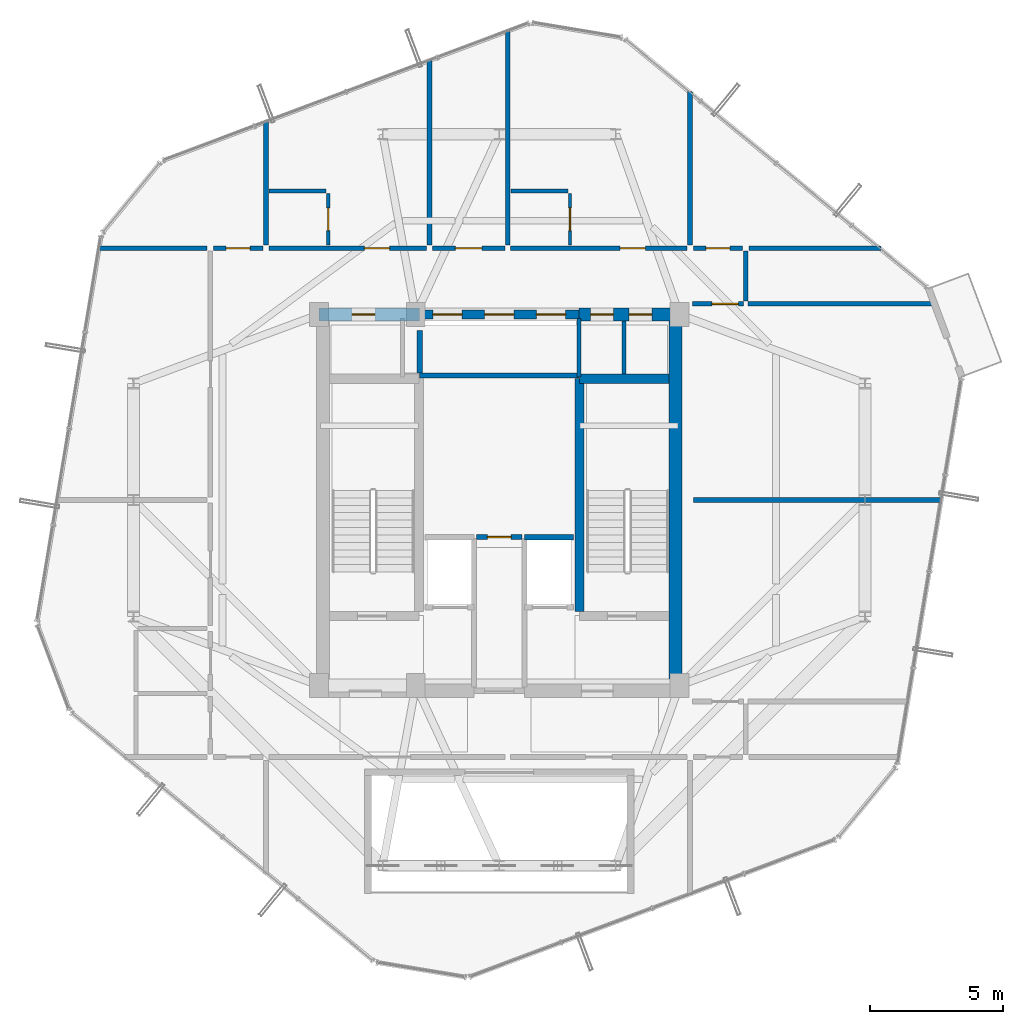
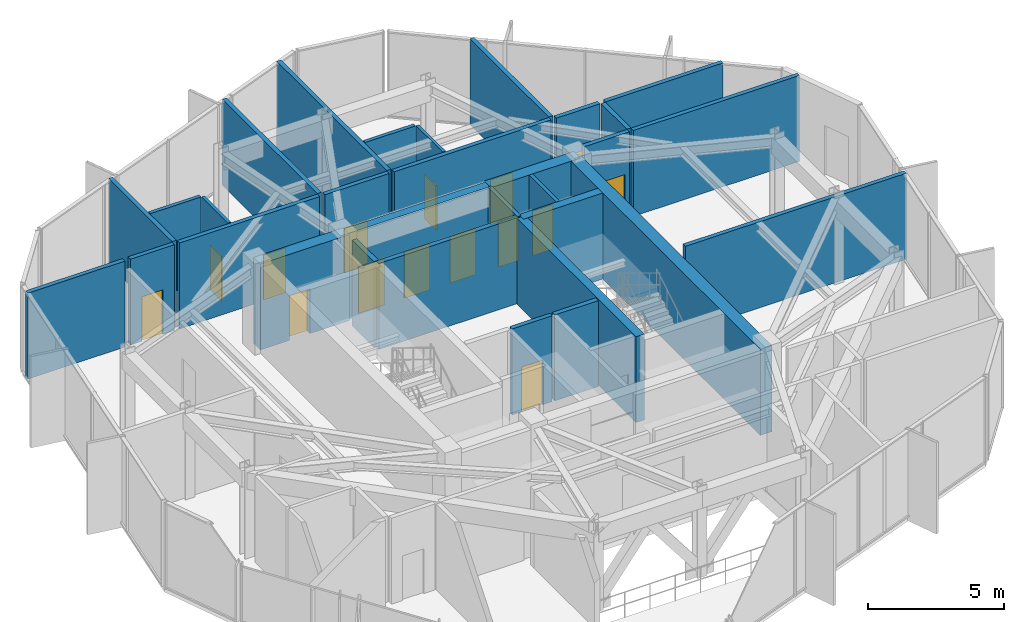
# One storey, part 19 of 22: 31 walls, 15 doors, 15 openings.
"""IFC4 building model written with IfcOpenShell, lengths in metres."""

from ifc_helpers import new_model, si_unit, direction, frame, frame_2d, origin, place, context, subcontext, project, spatial, rectangle, extrude, source, transform, mapped, material, layer, layer_set, type_object, element, fill, save


model = new_model("IFC4")

# Units and contexts
model_context = context("Model", 3, precision=1e-05, world=origin(), true_north=direction((0.0, 1.0)))
body_context = subcontext(model_context, "Body", "Model", "MODEL_VIEW")
ifc_project = project(units=[si_unit("LENGTHUNIT", "METRE"), si_unit("AREAUNIT", "SQUARE_METRE"), si_unit("VOLUMEUNIT", "CUBIC_METRE"), si_unit("PLANEANGLEUNIT", "RADIAN"), si_unit("MASSUNIT", "GRAM", prefix="KILO")], contexts=[model_context])

# Site, building, storey
site_placement = place(None, origin())
site = spatial("IfcSite", under=ifc_project, at=site_placement, CompositionType="ELEMENT")
building_placement = place(site_placement, origin())
building = spatial("IfcBuilding", under=site, at=building_placement, Name="Veraguas Prism Commons", CompositionType="ELEMENT")
storey_placement = place(building_placement, frame((0.0, 0.0, 240.64990234375)))
storey = spatial("IfcBuildingStorey", under=building, at=storey_placement, Name="L68", CompositionType="ELEMENT", Elevation=240.64990234375)

# Wall, openings, doors
ifc_material_1 = material(Name="Concrete C50/60", Category="concrete")
ifc_layer_1 = layer(ifc_material_1, 0.35009765625, Name="Core Internal Shear Wall Upper RC 350", Category="concrete")
ifc_layer_set_1 = layer_set([ifc_layer_1], Name="Concrete C50/60")
wall_type_1 = type_object("IfcWallType", Name="Core Internal Shear Wall Upper RC 350", PredefinedType="SHEAR", material=ifc_layer_set_1)
wall_1_placement = place(storey_placement, frame((21.0, 31.0, 0.0), z_axis=(0.0, 0.0, 1.0), x_axis=(1.0, 0.0, 0.0)))
wall_1 = element("IfcWall", 1, at=wall_1_placement, inside=storey, type_object=wall_type_1, Name="High-Rise Lift Bank Front Shear Wall L68", PredefinedType="SHEAR", context=body_context, shape_type="SweptSolid", body=[
    extrude(rectangle(XDim=6.0, YDim=0.35009765625, at=frame_2d((3.0, 0.0))), origin(), (0.0, 0.0, 1.0), 3.864990234375),
])
opening_1_placement = place(wall_1_placement, frame((0.5, 0.0, 0.0)))
opening_1 = element("IfcOpeningElement", 2, at=opening_1_placement, cuts=wall_1, Name="Opening LD-01", PredefinedType="OPENING", context=body_context, shape_type="SweptSolid", body=[
    extrude(rectangle(XDim=1.10009765625, YDim=2.080078125, at=frame_2d((0.550048828125, 1.0400390625))), frame((0.0, 0.18505859375, 0.0), z_axis=(0.0, -1.0, 0.0), x_axis=(1.0, 0.0, 0.0)), (0.0, 0.0, 1.0), 0.3701171875),
])
opening_2_placement = place(wall_1_placement, frame((2.449951171875, 0.0, 0.0)))
opening_2 = element("IfcOpeningElement", 3, at=opening_2_placement, cuts=wall_1, Name="Opening LD-01", PredefinedType="OPENING", context=body_context, shape_type="SweptSolid", body=[
    extrude(rectangle(XDim=1.10009765625, YDim=2.080078125, at=frame_2d((0.550048828125, 1.0400390625))), frame((0.0, 0.18505859375, 0.0), z_axis=(0.0, -1.0, 0.0), x_axis=(1.0, 0.0, 0.0)), (0.0, 0.0, 1.0), 0.3701171875),
])
opening_3_placement = place(wall_1_placement, frame((4.39990234375, 0.0, 0.0)))
opening_3 = element("IfcOpeningElement", 4, at=opening_3_placement, cuts=wall_1, Name="Opening LD-01", PredefinedType="OPENING", context=body_context, shape_type="SweptSolid", body=[
    extrude(rectangle(XDim=1.10009765625, YDim=2.080078125, at=frame_2d((0.550048828125, 1.0400390625))), frame((0.0, 0.18505859375, 0.0), z_axis=(0.0, -1.0, 0.0), x_axis=(1.0, 0.0, 0.0)), (0.0, 0.0, 1.0), 0.3701171875),
])
ifc_material_2 = material(Name="Stainless steel AISI 316", Category="steel")
door_type_1 = type_object("IfcDoorType", Name="Passenger Lift Sliding Landing Door 1100x2080", OperationType="NOTDEFINED", PredefinedType="DOOR", material=ifc_material_2)
shared_shape_1 = source(origin(), body_context, "Body", "SweptSolid", [
    extrude(rectangle(XDim=1.10009765625, YDim=2.080078125, at=frame_2d((0.550048828125, 1.0400390625))), frame((0.0, 0.02490234375, 0.0), z_axis=(0.0, -1.0, 0.0), x_axis=(1.0, 0.0, 0.0)), (0.0, 0.0, 1.0), 0.050048828125),
])
door_1_placement = place(opening_1_placement, origin())
door_1 = element("IfcDoor", 5, at=door_1_placement, inside=storey, type_object=door_type_1, Name="Sliding Landing Door PL-H1 L68", OperationType="SLIDING_TO_LEFT", OverallHeight=2.080078125, OverallWidth=1.10009765625, PredefinedType="DOOR", context=body_context, shape_type="MappedRepresentation", body=[
    mapped(shared_shape_1, transform((0.0, 0.0, 0.0), scale=1.0)),
])
fill(opening_1, door_1)
door_2_placement = place(opening_2_placement, origin())
door_2 = element("IfcDoor", 6, at=door_2_placement, inside=storey, type_object=door_type_1, Name="Sliding Landing Door PL-H2 L68", OperationType="SLIDING_TO_LEFT", OverallHeight=2.080078125, OverallWidth=1.10009765625, PredefinedType="DOOR", context=body_context, shape_type="MappedRepresentation", body=[
    mapped(shared_shape_1, transform((0.0, 0.0, 0.0), scale=1.0)),
])
fill(opening_2, door_2)
door_3_placement = place(opening_3_placement, origin())
door_3 = element("IfcDoor", 7, at=door_3_placement, inside=storey, type_object=door_type_1, Name="Sliding Landing Door PL-H3 L68", OperationType="SLIDING_TO_LEFT", OverallHeight=2.080078125, OverallWidth=1.10009765625, PredefinedType="DOOR", context=body_context, shape_type="MappedRepresentation", body=[
    mapped(shared_shape_1, transform((0.0, 0.0, 0.0), scale=1.0)),
])
fill(opening_3, door_3)

# Walls
wall_2_placement = place(storey_placement, frame((27.02490234375, 19.800048828125, 0.0), z_axis=(0.0, 0.0, 1.0), x_axis=(0.0, 1.0, 0.0)))
element("IfcWall", 8, at=wall_2_placement, inside=storey, type_object=wall_type_1, Name="Stair ST-02 Inner Shear Wall L68", PredefinedType="SHEAR", context=body_context, shape_type="SweptSolid", body=[
    extrude(rectangle(XDim=8.77490234375, YDim=0.35009765625, at=frame_2d((4.387451171875, 0.0))), origin(), (0.0, 0.0, 1.0), 3.864990234375),
])
wall_3_placement = place(storey_placement, frame((27.02490234375, 28.574951171875, 0.0), z_axis=(0.0, 0.0, 1.0), x_axis=(1.0, 0.0, 0.0)))
element("IfcWall", 9, at=wall_3_placement, inside=storey, type_object=wall_type_1, Name="Stair ST-02 North Shear Wall L68", PredefinedType="SHEAR", context=body_context, shape_type="SweptSolid", body=[
    extrude(rectangle(XDim=3.375, YDim=0.35009765625, at=frame_2d((1.6875, 0.0))), origin(), (0.0, 0.0, 1.0), 3.864990234375),
])
ifc_layer_2 = layer(ifc_material_1, 0.5, Name="Core Outer Shear Wall Upper RC 500", Category="concrete")
ifc_layer_set_2 = layer_set([ifc_layer_2], Name="Concrete C50/60")
wall_type_2 = type_object("IfcWallType", Name="Core Outer Shear Wall Upper RC 500", PredefinedType="SHEAR", material=ifc_layer_set_2)
wall_4_placement = place(storey_placement, frame((30.64990234375, 16.800048828125, 0.0), z_axis=(0.0, 0.0, 1.0), x_axis=(0.0, 1.0, 0.0)))
element("IfcWall", 10, at=wall_4_placement, inside=storey, type_object=wall_type_2, Name="Central Core East Shear Wall L68", PredefinedType="SHEAR", context=body_context, shape_type="SweptSolid", body=[
    extrude(rectangle(XDim=14.199951171875, YDim=0.5, at=frame_2d((7.10009765625, 0.0))), origin(), (0.0, 0.0, 1.0), 3.864990234375),
])

# Wall, opening, door
wall_5_placement = place(storey_placement, frame((17.199951171875, 31.0, 0.0), z_axis=(0.0, 0.0, 1.0), x_axis=(1.0, 0.0, 0.0)))
wall_5 = element("IfcWall", 11, at=wall_5_placement, inside=storey, type_object=wall_type_2, Name="Central Core North-West Shear Wall L68", PredefinedType="SHEAR", context=body_context, shape_type="SweptSolid", body=[
    extrude(rectangle(XDim=3.800048828125, YDim=0.5, at=frame_2d((1.89990234375, 0.0))), origin(), (0.0, 0.0, 1.0), 3.864990234375),
])
opening_4_placement = place(wall_5_placement, frame((1.25, 0.0, 0.0)))
opening_4 = element("IfcOpeningElement", 12, at=opening_4_placement, cuts=wall_5, Name="Opening DR-12", PredefinedType="OPENING", context=body_context, shape_type="SweptSolid", body=[
    extrude(rectangle(XDim=0.860107421875, YDim=2.010009765625, at=frame_2d((0.43017578125, 1.0048828125))), frame((0.0, 0.260009765625, 0.0), z_axis=(0.0, -1.0, 0.0), x_axis=(1.0, 0.0, 0.0)), (0.0, 0.0, 1.0), 0.52001953125),
])
ifc_material_3 = material(Name="Steel fire-rated door assembly", Category="steel")
door_type_2 = type_object("IfcDoorType", Name="Core WC Fire Door 860x2010", OperationType="NOTDEFINED", PredefinedType="DOOR", material=ifc_material_3)
shared_shape_2 = source(origin(), body_context, "Body", "SweptSolid", [
    extrude(rectangle(XDim=0.860107421875, YDim=2.010009765625, at=frame_2d((0.43017578125, 1.0048828125))), frame((0.0, 0.02490234375, 0.0), z_axis=(0.0, -1.0, 0.0), x_axis=(1.0, 0.0, 0.0)), (0.0, 0.0, 1.0), 0.050048828125),
])
door_4_placement = place(opening_4_placement, origin())
door_4 = element("IfcDoor", 13, at=door_4_placement, inside=storey, type_object=door_type_2, Name="Core NW Service Door L68", OperationType="SINGLE_SWING_LEFT", OverallHeight=2.010009765625, OverallWidth=0.860107421875, PredefinedType="DOOR", context=body_context, shape_type="MappedRepresentation", body=[
    mapped(shared_shape_2, transform((0.0, 0.0, 0.0), scale=1.0)),
])
fill(opening_4, door_4)

# Wall, openings, doors
wall_6_placement = place(storey_placement, frame((27.0, 31.0, 0.0), z_axis=(0.0, 0.0, 1.0), x_axis=(1.0, 0.0, 0.0)))
wall_6 = element("IfcWall", 14, at=wall_6_placement, inside=storey, type_object=wall_type_2, Name="Central Core North-East Shear Wall L68", PredefinedType="SHEAR", context=body_context, shape_type="SweptSolid", body=[
    extrude(rectangle(XDim=3.800048828125, YDim=0.5, at=frame_2d((1.89990234375, 0.0))), origin(), (0.0, 0.0, 1.0), 3.864990234375),
])
opening_5_placement = place(wall_6_placement, frame((0.449951171875, 0.0, 0.0)))
opening_5 = element("IfcOpeningElement", 15, at=opening_5_placement, cuts=wall_6, Name="Opening DR-12", PredefinedType="OPENING", context=body_context, shape_type="SweptSolid", body=[
    extrude(rectangle(XDim=0.860107421875, YDim=2.010009765625, at=frame_2d((0.43017578125, 1.0048828125))), frame((0.0, 0.260009765625, 0.0), z_axis=(0.0, -1.0, 0.0), x_axis=(1.0, 0.0, 0.0)), (0.0, 0.0, 1.0), 0.52001953125),
])
opening_6_placement = place(wall_6_placement, frame((1.89990234375, 0.0, 0.0)))
opening_6 = element("IfcOpeningElement", 16, at=opening_6_placement, cuts=wall_6, Name="Opening DR-12", PredefinedType="OPENING", context=body_context, shape_type="SweptSolid", body=[
    extrude(rectangle(XDim=0.860107421875, YDim=2.010009765625, at=frame_2d((0.43017578125, 1.0048828125))), frame((0.0, 0.260009765625, 0.0), z_axis=(0.0, -1.0, 0.0), x_axis=(1.0, 0.0, 0.0)), (0.0, 0.0, 1.0), 0.52001953125),
])
door_5_placement = place(opening_5_placement, origin())
door_5 = element("IfcDoor", 17, at=door_5_placement, inside=storey, type_object=door_type_2, Name="Core NE Room A Door L68", OperationType="SINGLE_SWING_RIGHT", OverallHeight=2.010009765625, OverallWidth=0.860107421875, PredefinedType="DOOR", context=body_context, shape_type="MappedRepresentation", body=[
    mapped(shared_shape_2, transform((0.0, 0.0, 0.0), scale=1.0)),
])
fill(opening_5, door_5)
door_6_placement = place(opening_6_placement, origin())
door_6 = element("IfcDoor", 18, at=door_6_placement, inside=storey, type_object=door_type_2, Name="Core NE Room B Door L68", OperationType="SINGLE_SWING_LEFT", OverallHeight=2.010009765625, OverallWidth=0.860107421875, PredefinedType="DOOR", context=body_context, shape_type="MappedRepresentation", body=[
    mapped(shared_shape_2, transform((0.0, 0.0, 0.0), scale=1.0)),
])
fill(opening_6, door_6)

# Wall, opening, door
ifc_material_4 = material(Name="Autoclaved aerated masonry block 10 MPa", Category="masonry")
ifc_layer_3 = layer(ifc_material_4, 0.179931640625, Name="Corridor and Inter-Tenancy Partition 180", Category="masonry")
ifc_layer_set_3 = layer_set([ifc_layer_3], Name="Autoclaved aerated masonry block 10 MPa")
wall_type_3 = type_object("IfcWallType", Name="Corridor and Inter-Tenancy Partition 180", PredefinedType="PARTITIONING", material=ifc_layer_set_3)
wall_7_placement = place(storey_placement, frame((23.14990234375, 22.60009765625, 0.0), z_axis=(0.0, 0.0, 1.0), x_axis=(1.0, 0.0, 0.0)))
wall_7 = element("IfcWall", 19, at=wall_7_placement, inside=storey, type_object=wall_type_3, Name="Core Suite Entry Wall L68", PredefinedType="PARTITIONING", context=body_context, shape_type="SweptSolid", body=[
    extrude(rectangle(XDim=1.7001953125, YDim=0.179931640625, at=frame_2d((0.85009765625, 0.0))), origin(), (0.0, 0.0, 1.0), 3.864990234375),
])
opening_7_placement = place(wall_7_placement, frame((0.39990234375, 0.0, 0.0)))
opening_7 = element("IfcOpeningElement", 20, at=opening_7_placement, cuts=wall_7, Name="Opening DR-14", PredefinedType="OPENING", context=body_context, shape_type="SweptSolid", body=[
    extrude(rectangle(XDim=0.89990234375, YDim=2.010009765625, at=frame_2d((0.449951171875, 1.0048828125))), frame((0.0, 0.099853515625, 0.0), z_axis=(0.0, -1.0, 0.0), x_axis=(1.0, 0.0, 0.0)), (0.0, 0.0, 1.0), 0.199951171875),
])
door_type_3 = type_object("IfcDoorType", Name="Core Service Room Fire Door 900x2010", OperationType="NOTDEFINED", PredefinedType="DOOR", material=ifc_material_3)
shared_shape_3 = source(origin(), body_context, "Body", "SweptSolid", [
    extrude(rectangle(XDim=0.89990234375, YDim=2.010009765625, at=frame_2d((0.449951171875, 1.0048828125))), frame((0.0, 0.02490234375, 0.0), z_axis=(0.0, -1.0, 0.0), x_axis=(1.0, 0.0, 0.0)), (0.0, 0.0, 1.0), 0.050048828125),
])
door_7_placement = place(opening_7_placement, origin())
door_7 = element("IfcDoor", 21, at=door_7_placement, inside=storey, type_object=door_type_3, Name="Core Suite Entry Door L68", OperationType="SINGLE_SWING_RIGHT", OverallHeight=2.010009765625, OverallWidth=0.89990234375, PredefinedType="DOOR", context=body_context, shape_type="MappedRepresentation", body=[
    mapped(shared_shape_3, transform((0.0, 0.0, 0.0), scale=1.0)),
])
fill(opening_7, door_7)

# Walls
wall_8_placement = place(storey_placement, frame((15.199951171875, 33.6201171875, 0.0), z_axis=(0.0, 0.0, 1.0), x_axis=(0.0, 1.0, 0.0)))
element("IfcWall", 22, at=wall_8_placement, inside=storey, type_object=wall_type_3, Name="WL-L68-PT005", PredefinedType="PARTITIONING", context=body_context, shape_type="SweptSolid", body=[
    extrude(rectangle(XDim=4.683837890625, YDim=0.179931640625, at=frame_2d((2.341796875, 0.0))), origin(), (0.0, 0.0, 1.0), 3.864990234375),
])
wall_9_placement = place(storey_placement, frame((31.199951171875, 33.6201171875, 0.0), z_axis=(0.0, 0.0, 1.0), x_axis=(0.0, 1.0, 0.0)))
element("IfcWall", 23, at=wall_9_placement, inside=storey, type_object=wall_type_3, Name="WL-L68-PT006", PredefinedType="PARTITIONING", context=body_context, shape_type="SweptSolid", body=[
    extrude(rectangle(XDim=5.80029296875, YDim=0.179931640625, at=frame_2d((2.900146484375, 0.0))), origin(), (0.0, 0.0, 1.0), 3.864990234375),
])

# Wall, opening, door
wall_10_placement = place(storey_placement, frame((21.47998046875, 33.5, 0.0), z_axis=(0.0, 0.0, 1.0), x_axis=(1.0, 0.0, 0.0)))
wall_10 = element("IfcWall", 24, at=wall_10_placement, inside=storey, type_object=wall_type_3, Name="WL-L68-PT007", PredefinedType="PARTITIONING", context=body_context, shape_type="SweptSolid", body=[
    extrude(rectangle(XDim=2.72998046875, YDim=0.179931640625, at=frame_2d((1.364990234375, 0.0))), origin(), (0.0, 0.0, 1.0), 3.864990234375),
])
opening_8_placement = place(wall_10_placement, frame((0.864990234375, 0.0, 0.0)))
opening_8 = element("IfcOpeningElement", 25, at=opening_8_placement, cuts=wall_10, Name="Opening DR-13", PredefinedType="OPENING", context=body_context, shape_type="SweptSolid", body=[
    extrude(rectangle(XDim=1.0, YDim=2.010009765625, at=frame_2d((0.5, 1.0048828125))), frame((0.0, 0.099853515625, 0.0), z_axis=(0.0, -1.0, 0.0), x_axis=(1.0, 0.0, 0.0)), (0.0, 0.0, 1.0), 0.199951171875),
])
door_type_4 = type_object("IfcDoorType", Name="Core Accessible WC and Clinic Fire Door 1000x2010", OperationType="NOTDEFINED", PredefinedType="DOOR", material=ifc_material_3)
shared_shape_4 = source(origin(), body_context, "Body", "SweptSolid", [
    extrude(rectangle(XDim=1.0, YDim=2.010009765625, at=frame_2d((0.5, 1.0048828125))), frame((0.0, 0.02490234375, 0.0), z_axis=(0.0, -1.0, 0.0), x_axis=(1.0, 0.0, 0.0)), (0.0, 0.0, 1.0), 0.050048828125),
])
door_8_placement = place(opening_8_placement, origin())
door_8 = element("IfcDoor", 26, at=door_8_placement, inside=storey, type_object=door_type_4, Name="Quiet Study N Door", OperationType="SINGLE_SWING_LEFT", OverallHeight=2.010009765625, OverallWidth=1.0, PredefinedType="DOOR", context=body_context, shape_type="MappedRepresentation", body=[
    mapped(shared_shape_4, transform((0.0, 0.0, 0.0), scale=1.0)),
])
fill(opening_8, door_8)

# Wall
wall_11_placement = place(storey_placement, frame((21.3701171875, 33.6201171875, 0.0), z_axis=(0.0, 0.0, 1.0), x_axis=(0.0, 1.0, 0.0)))
element("IfcWall", 27, at=wall_11_placement, inside=storey, type_object=wall_type_3, Name="WL-L68-PT008", PredefinedType="PARTITIONING", context=body_context, shape_type="SweptSolid", body=[
    extrude(rectangle(XDim=7.00048828125, YDim=0.179931640625, at=frame_2d((3.500244140625, 0.0))), origin(), (0.0, 0.0, 1.0), 3.864990234375),
])

# Wall, opening, door
wall_12_placement = place(storey_placement, frame((15.31005859375, 33.5, 0.0), z_axis=(0.0, 0.0, 1.0), x_axis=(1.0, 0.0, 0.0)))
wall_12 = element("IfcWall", 28, at=wall_12_placement, inside=storey, type_object=wall_type_3, Name="WL-L68-PT009", PredefinedType="PARTITIONING", context=body_context, shape_type="SweptSolid", body=[
    extrude(rectangle(XDim=5.949951171875, YDim=0.179931640625, at=frame_2d((2.97509765625, 0.0))), origin(), (0.0, 0.0, 1.0), 3.864990234375),
])
opening_9_placement = place(wall_12_placement, frame((3.60400390625, 0.0, 0.0)))
opening_9 = element("IfcOpeningElement", 29, at=opening_9_placement, cuts=wall_12, Name="Opening DR-01", PredefinedType="OPENING", context=body_context, shape_type="SweptSolid", body=[
    extrude(rectangle(XDim=0.949951171875, YDim=2.02001953125, at=frame_2d((0.47509765625, 1.010009765625))), frame((0.0, 0.099853515625, 0.0), z_axis=(0.0, -1.0, 0.0), x_axis=(1.0, 0.0, 0.0)), (0.0, 0.0, 1.0), 0.199951171875),
])
ifc_material_5 = material(Name="Anodised aluminium EN AW-6063 T6", Category="aluminium")
door_type_5 = type_object("IfcDoorType", Name="Apartment Entrance Fire Door 950x2020", OperationType="NOTDEFINED", PredefinedType="DOOR", material=ifc_material_5)
shared_shape_5 = source(origin(), body_context, "Body", "SweptSolid", [
    extrude(rectangle(XDim=0.949951171875, YDim=2.02001953125, at=frame_2d((0.47509765625, 1.010009765625))), frame((0.0, 0.02490234375, 0.0), z_axis=(0.0, -1.0, 0.0), x_axis=(1.0, 0.0, 0.0)), (0.0, 0.0, 1.0), 0.050048828125),
])
door_9_placement = place(opening_9_placement, origin())
door_9 = element("IfcDoor", 30, at=door_9_placement, inside=storey, type_object=door_type_5, Name="Studio 68A Entrance Door", OperationType="SINGLE_SWING_RIGHT", OverallHeight=2.02001953125, OverallWidth=0.949951171875, PredefinedType="DOOR", context=body_context, shape_type="MappedRepresentation", body=[
    mapped(shared_shape_5, transform((0.0, 0.0, 0.0), scale=1.0)),
])
fill(opening_9, door_9)

# Wall
wall_13_placement = place(storey_placement, frame((24.320068359375, 33.6201171875, 0.0), z_axis=(0.0, 0.0, 1.0), x_axis=(0.0, 1.0, 0.0)))
element("IfcWall", 31, at=wall_13_placement, inside=storey, type_object=wall_type_3, Name="WL-L68-PT012", PredefinedType="PARTITIONING", context=body_context, shape_type="SweptSolid", body=[
    extrude(rectangle(XDim=8.1083984375, YDim=0.179931640625, at=frame_2d((4.05419921875, 0.0))), origin(), (0.0, 0.0, 1.0), 3.864990234375),
])

# Wall, opening, door
wall_14_placement = place(storey_placement, frame((24.429931640625, 33.5, 0.0), z_axis=(0.0, 0.0, 1.0), x_axis=(1.0, 0.0, 0.0)))
wall_14 = element("IfcWall", 32, at=wall_14_placement, inside=storey, type_object=wall_type_3, Name="WL-L68-PT013", PredefinedType="PARTITIONING", context=body_context, shape_type="SweptSolid", body=[
    extrude(rectangle(XDim=6.66015625, YDim=0.179931640625, at=frame_2d((3.330078125, 0.0))), origin(), (0.0, 0.0, 1.0), 3.864990234375),
])
opening_10_placement = place(wall_14_placement, frame((4.12939453125, 0.0, 0.0)))
opening_10 = element("IfcOpeningElement", 33, at=opening_10_placement, cuts=wall_14, Name="Opening DR-01", PredefinedType="OPENING", context=body_context, shape_type="SweptSolid", body=[
    extrude(rectangle(XDim=0.949951171875, YDim=2.02001953125, at=frame_2d((0.47509765625, 1.010009765625))), frame((0.0, 0.099853515625, 0.0), z_axis=(0.0, -1.0, 0.0), x_axis=(1.0, 0.0, 0.0)), (0.0, 0.0, 1.0), 0.199951171875),
])
door_10_placement = place(opening_10_placement, origin())
door_10 = element("IfcDoor", 34, at=door_10_placement, inside=storey, type_object=door_type_5, Name="Studio 68B Entrance Door", OperationType="SINGLE_SWING_RIGHT", OverallHeight=2.02001953125, OverallWidth=0.949951171875, PredefinedType="DOOR", context=body_context, shape_type="MappedRepresentation", body=[
    mapped(shared_shape_5, transform((0.0, 0.0, 0.0), scale=1.0)),
])
fill(opening_10, door_10)

# Walls
wall_15_placement = place(storey_placement, frame((12.97998046875, 33.5, 0.0), z_axis=(0.0, 0.0, 1.0), x_axis=(-1.0, 0.0, 0.0)))
element("IfcWall", 35, at=wall_15_placement, inside=storey, type_object=wall_type_3, Name="WL-L68-PT017", PredefinedType="PARTITIONING", context=body_context, shape_type="SweptSolid", body=[
    extrude(rectangle(XDim=4.11376953125, YDim=0.179931640625, at=frame_2d((2.056884765625, 0.0))), origin(), (0.0, 0.0, 1.0), 3.864990234375),
])
wall_16_placement = place(storey_placement, frame((31.320068359375, 24.0, 0.0), z_axis=(0.0, 0.0, 1.0), x_axis=(1.0, 0.0, 0.0)))
element("IfcWall", 36, at=wall_16_placement, inside=storey, type_object=wall_type_3, Name="WL-L68-PT027", PredefinedType="PARTITIONING", context=body_context, shape_type="SweptSolid", body=[
    extrude(rectangle(XDim=9.3896484375, YDim=0.179931640625, at=frame_2d((4.69482421875, 0.0))), origin(), (0.0, 0.0, 1.0), 3.864990234375),
])
wall_17_placement = place(storey_placement, frame((33.300048828125, 31.5, 0.0), z_axis=(0.0, 0.0, 1.0), x_axis=(0.0, 1.0, 0.0)))
element("IfcWall", 37, at=wall_17_placement, inside=storey, type_object=wall_type_3, Name="WL-L68-PT029", PredefinedType="PARTITIONING", context=body_context, shape_type="SweptSolid", body=[
    extrude(rectangle(XDim=1.89990234375, YDim=0.179931640625, at=frame_2d((0.949951171875, 0.0))), origin(), (0.0, 0.0, 1.0), 3.864990234375),
])

# Wall, opening, door
wall_18_placement = place(storey_placement, frame((31.300048828125, 31.39990234375, 0.0), z_axis=(0.0, 0.0, 1.0), x_axis=(1.0, 0.0, 0.0)))
wall_18 = element("IfcWall", 38, at=wall_18_placement, inside=storey, type_object=wall_type_3, Name="WL-L68-PT032", PredefinedType="PARTITIONING", context=body_context, shape_type="SweptSolid", body=[
    extrude(rectangle(XDim=1.919921875, YDim=0.179931640625, at=frame_2d((0.9599609375, 0.0))), origin(), (0.0, 0.0, 1.0), 3.864990234375),
])
opening_11_placement = place(wall_18_placement, frame((0.719970703125, 0.0, 0.0)))
opening_11 = element("IfcOpeningElement", 39, at=opening_11_placement, cuts=wall_18, Name="Opening DR-13", PredefinedType="OPENING", context=body_context, shape_type="SweptSolid", body=[
    extrude(rectangle(XDim=1.0, YDim=2.010009765625, at=frame_2d((0.5, 1.0048828125))), frame((0.0, 0.099853515625, 0.0), z_axis=(0.0, -1.0, 0.0), x_axis=(1.0, 0.0, 0.0)), (0.0, 0.0, 1.0), 0.199951171875),
])
door_11_placement = place(opening_11_placement, origin())
door_11 = element("IfcDoor", 40, at=door_11_placement, inside=storey, type_object=door_type_4, Name="Study Salon Door L68", OperationType="SINGLE_SWING_LEFT", OverallHeight=2.010009765625, OverallWidth=1.0, PredefinedType="DOOR", context=body_context, shape_type="MappedRepresentation", body=[
    mapped(shared_shape_4, transform((0.0, 0.0, 0.0), scale=1.0)),
])
fill(opening_11, door_11)

# Wall
wall_19_placement = place(storey_placement, frame((33.3798828125, 31.39990234375, 0.0), z_axis=(0.0, 0.0, 1.0), x_axis=(1.0, 0.0, 0.0)))
element("IfcWall", 41, at=wall_19_placement, inside=storey, type_object=wall_type_3, Name="WL-L68-PT033", PredefinedType="PARTITIONING", context=body_context, shape_type="SweptSolid", body=[
    extrude(rectangle(XDim=7.0703125, YDim=0.179931640625, at=frame_2d((3.53515625, 0.0))), origin(), (0.0, 0.0, 1.0), 3.864990234375),
])

# Wall, opening, door
wall_20_placement = place(storey_placement, frame((13.219970703125, 33.5, 0.0), z_axis=(0.0, 0.0, 1.0), x_axis=(1.0, 0.0, 0.0)))
wall_20 = element("IfcWall", 42, at=wall_20_placement, inside=storey, type_object=wall_type_3, Name="WL-L68-PT037", PredefinedType="PARTITIONING", context=body_context, shape_type="SweptSolid", body=[
    extrude(rectangle(XDim=1.860107421875, YDim=0.179931640625, at=frame_2d((0.93017578125, 0.0))), origin(), (0.0, 0.0, 1.0), 3.864990234375),
])
opening_12_placement = place(wall_20_placement, frame((0.47998046875, 0.0, 0.0)))
opening_12 = element("IfcOpeningElement", 43, at=opening_12_placement, cuts=wall_20, Name="Opening DR-14", PredefinedType="OPENING", context=body_context, shape_type="SweptSolid", body=[
    extrude(rectangle(XDim=0.89990234375, YDim=2.010009765625, at=frame_2d((0.449951171875, 1.0048828125))), frame((0.0, 0.099853515625, 0.0), z_axis=(0.0, -1.0, 0.0), x_axis=(1.0, 0.0, 0.0)), (0.0, 0.0, 1.0), 0.199951171875),
])
door_12_placement = place(opening_12_placement, origin())
door_12 = element("IfcDoor", 44, at=door_12_placement, inside=storey, type_object=door_type_3, Name="Residents Corner Study Room NW Door", OperationType="SINGLE_SWING_RIGHT", OverallHeight=2.010009765625, OverallWidth=0.89990234375, PredefinedType="DOOR", context=body_context, shape_type="MappedRepresentation", body=[
    mapped(shared_shape_3, transform((0.0, 0.0, 0.0), scale=1.0)),
])
fill(opening_12, door_12)

# Wall
wall_21_placement = place(storey_placement, frame((33.419921875, 33.5, 0.0), z_axis=(0.0, 0.0, 1.0), x_axis=(1.0, 0.0, 0.0)))
element("IfcWall", 45, at=wall_21_placement, inside=storey, type_object=wall_type_3, Name="WL-L68-PT038", PredefinedType="PARTITIONING", context=body_context, shape_type="SweptSolid", body=[
    extrude(rectangle(XDim=4.982666015625, YDim=0.179931640625, at=frame_2d((2.4912109375, 0.0))), origin(), (0.0, 0.0, 1.0), 3.864990234375),
])

# Wall, opening, door
wall_22_placement = place(storey_placement, frame((31.320068359375, 33.5, 0.0), z_axis=(0.0, 0.0, 1.0), x_axis=(1.0, 0.0, 0.0)))
wall_22 = element("IfcWall", 46, at=wall_22_placement, inside=storey, type_object=wall_type_3, Name="WL-L68-PT039", PredefinedType="PARTITIONING", context=body_context, shape_type="SweptSolid", body=[
    extrude(rectangle(XDim=1.85986328125, YDim=0.179931640625, at=frame_2d((0.929931640625, 0.0))), origin(), (0.0, 0.0, 1.0), 3.864990234375),
])
opening_13_placement = place(wall_22_placement, frame((0.47998046875, 0.0, 0.0)))
opening_13 = element("IfcOpeningElement", 47, at=opening_13_placement, cuts=wall_22, Name="Opening DR-14", PredefinedType="OPENING", context=body_context, shape_type="SweptSolid", body=[
    extrude(rectangle(XDim=0.89990234375, YDim=2.010009765625, at=frame_2d((0.449951171875, 1.0048828125))), frame((0.0, 0.099853515625, 0.0), z_axis=(0.0, -1.0, 0.0), x_axis=(1.0, 0.0, 0.0)), (0.0, 0.0, 1.0), 0.199951171875),
])
door_13_placement = place(opening_13_placement, origin())
door_13 = element("IfcDoor", 48, at=door_13_placement, inside=storey, type_object=door_type_3, Name="Community Co-op Kitchen NE Door", OperationType="SINGLE_SWING_LEFT", OverallHeight=2.010009765625, OverallWidth=0.89990234375, PredefinedType="DOOR", context=body_context, shape_type="MappedRepresentation", body=[
    mapped(shared_shape_3, transform((0.0, 0.0, 0.0), scale=1.0)),
])
fill(opening_13, door_13)

ifc_material_6 = material(Name="Lightweight acoustic gypsum board")
ifc_layer_4 = layer(ifc_material_6, 0.125, Name="Internal Apartment Room Partition 125")
ifc_layer_set_4 = layer_set([ifc_layer_4], Name="Lightweight acoustic gypsum board")
wall_type_4 = type_object("IfcWallType", Name="Internal Apartment Room Partition 125", PredefinedType="PARTITIONING", material=ifc_layer_set_4)
wall_23_placement = place(storey_placement, frame((17.550048828125, 33.6201171875, 0.0), z_axis=(0.0, 0.0, 1.0), x_axis=(0.0, 1.0, 0.0)))
wall_23 = element("IfcWall", 49, at=wall_23_placement, inside=storey, type_object=wall_type_4, Name="WL-L68-PT010", PredefinedType="PARTITIONING", context=body_context, shape_type="SweptSolid", body=[
    extrude(rectangle(XDim=1.949951171875, YDim=0.125, at=frame_2d((0.97509765625, 0.0))), origin(), (0.0, 0.0, 1.0), 3.864990234375),
])
opening_14_placement = place(wall_23_placement, frame((0.544921875, 0.0, 0.0)))
opening_14 = element("IfcOpeningElement", 50, at=opening_14_placement, cuts=wall_23, Name="Opening DR-03", PredefinedType="OPENING", context=body_context, shape_type="SweptSolid", body=[
    extrude(rectangle(XDim=0.860107421875, YDim=2.010009765625, at=frame_2d((0.43017578125, 1.0048828125))), frame((0.0, 0.072509765625, 0.0), z_axis=(0.0, -1.0, 0.0), x_axis=(1.0, 0.0, 0.0)), (0.0, 0.0, 1.0), 0.14501953125),
])
ifc_material_7 = material(Name="Timber moisture-resistant leaf", Category="wood")
door_type_6 = type_object("IfcDoorType", Name="Internal Bathroom Door 860x2010", OperationType="NOTDEFINED", PredefinedType="DOOR", material=ifc_material_7)
door_14_placement = place(opening_14_placement, origin())
door_14 = element("IfcDoor", 51, at=door_14_placement, inside=storey, type_object=door_type_6, Name="Studio 68A Bathroom Door", OperationType="SINGLE_SWING_LEFT", OverallHeight=2.010009765625, OverallWidth=0.860107421875, PredefinedType="DOOR", context=body_context, shape_type="MappedRepresentation", body=[
    mapped(shared_shape_2, transform((0.0, 0.0, 0.0), scale=1.0)),
])
fill(opening_14, door_14)

wall_24_placement = place(storey_placement, frame((26.669921875, 33.6201171875, 0.0), z_axis=(0.0, 0.0, 1.0), x_axis=(0.0, 1.0, 0.0)))
wall_24 = element("IfcWall", 52, at=wall_24_placement, inside=storey, type_object=wall_type_4, Name="WL-L68-PT014", PredefinedType="PARTITIONING", context=body_context, shape_type="SweptSolid", body=[
    extrude(rectangle(XDim=1.949951171875, YDim=0.125, at=frame_2d((0.97509765625, 0.0))), origin(), (0.0, 0.0, 1.0), 3.864990234375),
])
opening_15_placement = place(wall_24_placement, frame((0.544921875, 0.0, 0.0)))
opening_15 = element("IfcOpeningElement", 53, at=opening_15_placement, cuts=wall_24, Name="Opening DR-03", PredefinedType="OPENING", context=body_context, shape_type="SweptSolid", body=[
    extrude(rectangle(XDim=0.860107421875, YDim=2.010009765625, at=frame_2d((0.43017578125, 1.0048828125))), frame((0.0, 0.072509765625, 0.0), z_axis=(0.0, -1.0, 0.0), x_axis=(1.0, 0.0, 0.0)), (0.0, 0.0, 1.0), 0.14501953125),
])
door_15_placement = place(opening_15_placement, origin())
door_15 = element("IfcDoor", 54, at=door_15_placement, inside=storey, type_object=door_type_6, Name="Studio 68B Bathroom Door", OperationType="SINGLE_SWING_LEFT", OverallHeight=2.010009765625, OverallWidth=0.860107421875, PredefinedType="DOOR", context=body_context, shape_type="MappedRepresentation", body=[
    mapped(shared_shape_2, transform((0.0, 0.0, 0.0), scale=1.0)),
])
fill(opening_15, door_15)

# Walls
ifc_layer_5 = layer(ifc_material_4, 0.199951171875, Name="Rated Shaft and Lobby Block Wall 200", Category="masonry")
ifc_layer_set_5 = layer_set([ifc_layer_5], Name="Autoclaved aerated masonry block 10 MPa")
wall_type_5 = type_object("IfcWallType", Name="Rated Shaft and Lobby Block Wall 200", PredefinedType="SOLIDWALL", material=ifc_layer_set_5)
wall_25_placement = place(storey_placement, frame((24.949951171875, 22.60009765625, 0.0), z_axis=(0.0, 0.0, 1.0), x_axis=(1.0, 0.0, 0.0)))
element("IfcWall", 55, at=wall_25_placement, inside=storey, type_object=wall_type_5, Name="Firefighting Lift FFL-2 Rear Wall L68", PredefinedType="SOLIDWALL", context=body_context, shape_type="SweptSolid", body=[
    extrude(rectangle(XDim=1.85009765625, YDim=0.199951171875, at=frame_2d((0.925048828125, 0.0))), origin(), (0.0, 0.0, 1.0), 3.864990234375),
])
wall_26_placement = place(storey_placement, frame((21.0, 28.699951171875, 0.0), z_axis=(0.0, 0.0, 1.0), x_axis=(1.0, 0.0, 0.0)))
element("IfcWall", 56, at=wall_26_placement, inside=storey, type_object=wall_type_5, Name="High-Rise Lift Bank Rear Shaft Wall L68", PredefinedType="SOLIDWALL", context=body_context, shape_type="SweptSolid", body=[
    extrude(rectangle(XDim=6.0, YDim=0.199951171875, at=frame_2d((3.0, 0.0))), origin(), (0.0, 0.0, 1.0), 3.864990234375),
])
wall_27_placement = place(storey_placement, frame((21.0, 28.800048828125, 0.0), z_axis=(0.0, 0.0, 1.0), x_axis=(0.0, 1.0, 0.0)))
element("IfcWall", 57, at=wall_27_placement, inside=storey, type_object=wall_type_5, Name="High-Rise Lift Bank West Shaft Wall L68", PredefinedType="SOLIDWALL", context=body_context, shape_type="SweptSolid", body=[
    extrude(rectangle(XDim=1.599853515625, YDim=0.199951171875, at=frame_2d((0.7998046875, 0.0))), origin(), (0.0, 0.0, 1.0), 3.864990234375),
])
ifc_layer_6 = layer(ifc_material_6, 0.14990234375, Name="Wet Room and Clinic Acoustic Partition 150")
ifc_layer_set_6 = layer_set([ifc_layer_6], Name="Lightweight acoustic gypsum board")
wall_type_6 = type_object("IfcWallType", Name="Wet Room and Clinic Acoustic Partition 150", PredefinedType="PARTITIONING", material=ifc_layer_set_6)
wall_28_placement = place(storey_placement, frame((27.0, 28.64990234375, 0.0), z_axis=(0.0, 0.0, 1.0), x_axis=(0.0, 1.0, 0.0)))
element("IfcWall", 58, at=wall_28_placement, inside=storey, type_object=wall_type_6, Name="Core NE Service Inner Wall L68", PredefinedType="PARTITIONING", context=body_context, shape_type="SweptSolid", body=[
    extrude(rectangle(XDim=2.2001953125, YDim=0.14990234375, at=frame_2d((1.10009765625, 0.0))), origin(), (0.0, 0.0, 1.0), 3.864990234375),
])
wall_29_placement = place(storey_placement, frame((28.699951171875, 28.75, 0.0), z_axis=(0.0, 0.0, 1.0), x_axis=(0.0, 1.0, 0.0)))
element("IfcWall", 59, at=wall_29_placement, inside=storey, type_object=wall_type_6, Name="WL-L68-CSVD1", PredefinedType="PARTITIONING", context=body_context, shape_type="SweptSolid", body=[
    extrude(rectangle(XDim=2.0, YDim=0.14990234375, at=frame_2d((1.0, 0.0))), origin(), (0.0, 0.0, 1.0), 3.864990234375),
])
wall_30_placement = place(storey_placement, frame((15.320068359375, 35.64990234375, 0.0), z_axis=(0.0, 0.0, 1.0), x_axis=(1.0, 0.0, 0.0)))
element("IfcWall", 60, at=wall_30_placement, inside=storey, type_object=wall_type_6, Name="WL-L68-PT011", PredefinedType="PARTITIONING", context=body_context, shape_type="SweptSolid", body=[
    extrude(rectangle(XDim=2.14990234375, YDim=0.14990234375, at=frame_2d((1.074951171875, 0.0))), origin(), (0.0, 0.0, 1.0), 3.864990234375),
])
wall_31_placement = place(storey_placement, frame((24.43994140625, 35.64990234375, 0.0), z_axis=(0.0, 0.0, 1.0), x_axis=(1.0, 0.0, 0.0)))
element("IfcWall", 61, at=wall_31_placement, inside=storey, type_object=wall_type_6, Name="WL-L68-PT015", PredefinedType="PARTITIONING", context=body_context, shape_type="SweptSolid", body=[
    extrude(rectangle(XDim=2.150146484375, YDim=0.14990234375, at=frame_2d((1.0751953125, 0.0))), origin(), (0.0, 0.0, 1.0), 3.864990234375),
])

save(model, "model.ifc")
